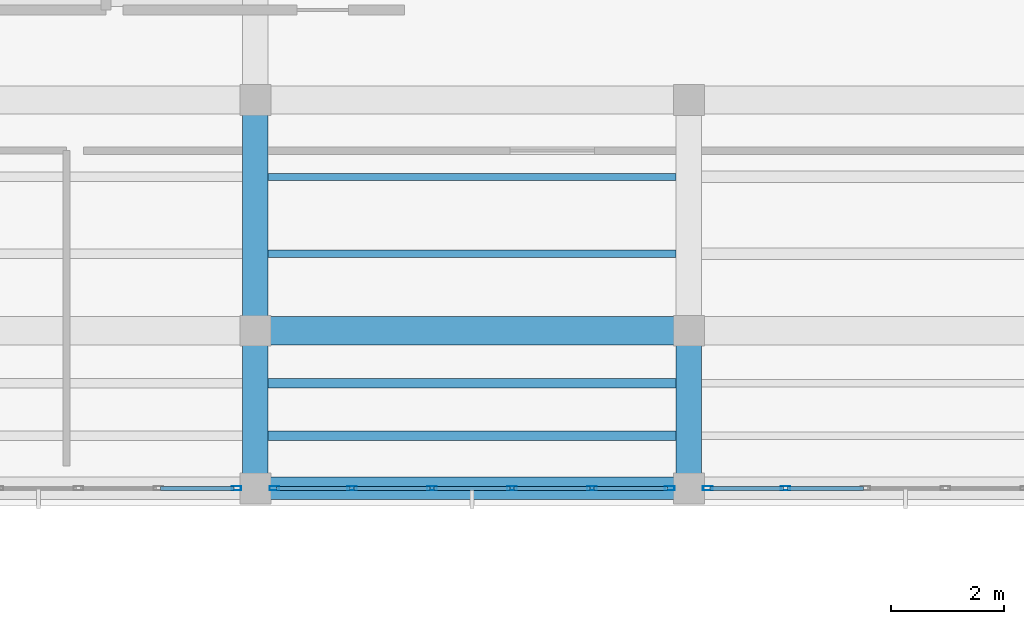
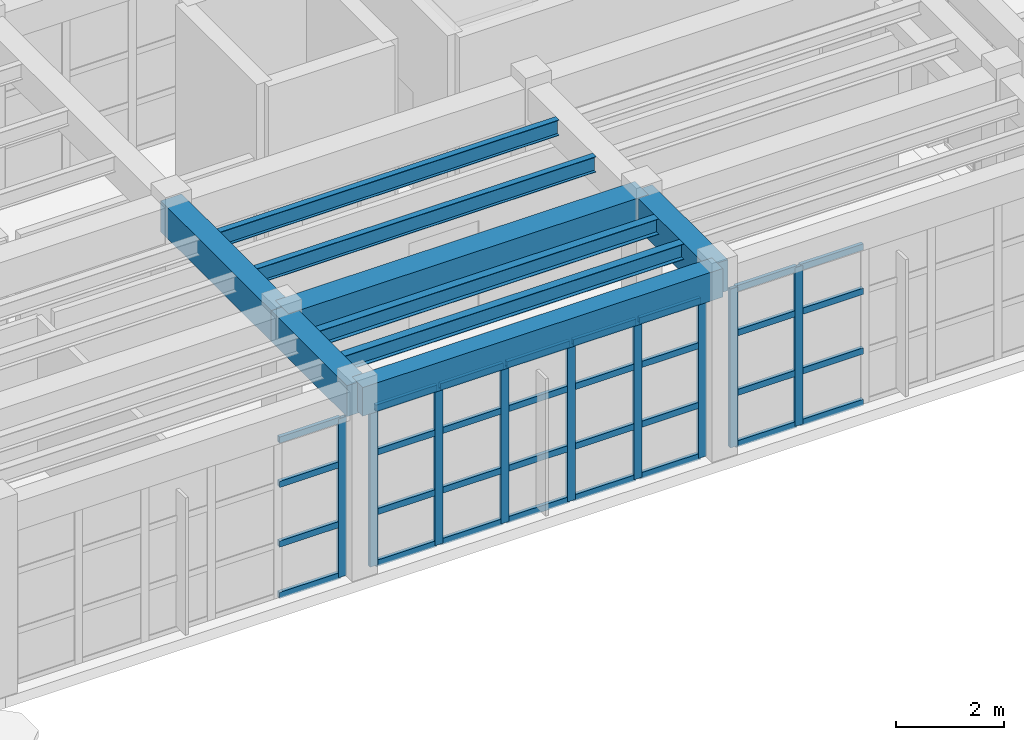
# One storey, part 29 of 85: 41 members, 9 beams, 3 elements without a shape of their own.
"""IFC4 building model written with IfcOpenShell, lengths in metres."""

from ifc_helpers import new_model, si_unit, direction, frame, origin, origin_2d, place, context, subcontext, project, spatial, rectangle, hollow_rectangle, i_section, extrude, material, layer, layer_set, material_profile, profile_set, type_object, element, aggregate, save


model = new_model("IFC4")

# Units and contexts
model_context = context("Model", 3, precision=1e-05, world=origin(), true_north=direction((0.0, 1.0)))
body_context = subcontext(model_context, "Body", "Model", "MODEL_VIEW")
ifc_project = project(units=[si_unit("LENGTHUNIT", "METRE"), si_unit("AREAUNIT", "SQUARE_METRE"), si_unit("VOLUMEUNIT", "CUBIC_METRE"), si_unit("PLANEANGLEUNIT", "RADIAN"), si_unit("MASSUNIT", "GRAM", prefix="KILO")], contexts=[model_context])

# Site, building, storey
site_placement = place(None, origin())
site = spatial("IfcSite", under=ifc_project, at=site_placement, CompositionType="ELEMENT")
building_placement = place(site_placement, origin())
building = spatial("IfcBuilding", under=site, at=building_placement, Name="Candilejo Ridge Gondola Terminal", CompositionType="ELEMENT")
storey_placement = place(building_placement, frame((0.0, 0.0, 4.5)))
storey = spatial("IfcBuildingStorey", under=building, at=storey_placement, Name="L01", CompositionType="ELEMENT", Elevation=4.5)

# Curtain wall, member
ifc_material_1 = material(Name="Anodised aluminium AA 6063-T6", Category="aluminium")
ifc_layer = layer(ifc_material_1, 0.169921875)
ifc_layer_set = layer_set([ifc_layer], Name="ARC-CW-CONCOURSE-3600-710X359")
curtain_wall_type = type_object("IfcCurtainWallType", Name="ARC-CW-CONCOURSE-3600-710X359", PredefinedType="NOTDEFINED", material=ifc_layer_set)
curtain_wall_1_placement = place(storey_placement, origin())
curtain_wall_1 = element("IfcCurtainWall", 1, at=curtain_wall_1_placement, inside=storey, type_object=curtain_wall_type, Name="Curtain wall V3 L01-077", PredefinedType="NOTDEFINED")
ifc_material_2 = material(Name="Anodised aluminium AA 6063-T6", Category="aluminium")
ifc_material_profile_1 = material_profile(ifc_material_2, hollow_rectangle(XDim=0.074951171875, YDim=0.169921875, WallThickness=0.00390625, at=origin_2d()))
ifc_profile_set_1 = profile_set([ifc_material_profile_1], Name="Anodised aluminium AA 6063-T6")
member_type_1 = type_object("IfcMemberType", Name="ARC-CW-MULLION", PredefinedType="MULLION", material=ifc_profile_set_1)
member_1_placement = place(storey_placement, frame((117.21240234375, 22.89990234375, 0.0), z_axis=(0.0, 0.0, 1.0), x_axis=(0.0, 1.0, 0.0)))
member_1 = element("IfcMember", 2, at=member_1_placement, type_object=member_type_1, Name="CW-71X35 mullion 6", PredefinedType="MULLION", context=body_context, shape_type="SweptSolid", body=[
    extrude(hollow_rectangle(XDim=0.074951171875, YDim=0.169921875, WallThickness=0.00390625, at=origin_2d()), origin(), (0.0, 0.0, 1.0), 3.590087890625),
])

# Curtain wall, members
curtain_wall_2_placement = place(storey_placement, origin())
curtain_wall_2 = element("IfcCurtainWall", 3, at=curtain_wall_2_placement, inside=storey, type_object=curtain_wall_type, Name="Curtain wall V3 L01-079", PredefinedType="NOTDEFINED")
member_2_placement = place(storey_placement, frame((117.887451171875, 22.89990234375, 0.0), z_axis=(0.0, 0.0, 1.0), x_axis=(0.0, 1.0, 0.0)))
member_2 = element("IfcMember", 4, at=member_2_placement, type_object=member_type_1, Name="CW-71X35 mullion 1", PredefinedType="MULLION", context=body_context, shape_type="SweptSolid", body=[
    extrude(hollow_rectangle(XDim=0.074951171875, YDim=0.169921875, WallThickness=0.00390625, at=origin_2d()), origin(), (0.0, 0.0, 1.0), 3.590087890625),
])
member_3_placement = place(storey_placement, frame((119.27001953125, 22.89990234375, 0.0), z_axis=(0.0, 0.0, 1.0), x_axis=(0.0, 1.0, 0.0)))
member_3 = element("IfcMember", 5, at=member_3_placement, type_object=member_type_1, Name="CW-71X35 mullion 2", PredefinedType="MULLION", context=body_context, shape_type="SweptSolid", body=[
    extrude(hollow_rectangle(XDim=0.074951171875, YDim=0.169921875, WallThickness=0.00390625, at=origin_2d()), origin(), (0.0, 0.0, 1.0), 3.590087890625),
])
member_4_placement = place(storey_placement, frame((120.68994140625, 22.89990234375, 0.0), z_axis=(0.0, 0.0, 1.0), x_axis=(0.0, 1.0, 0.0)))
member_4 = element("IfcMember", 6, at=member_4_placement, type_object=member_type_1, Name="CW-71X35 mullion 3", PredefinedType="MULLION", context=body_context, shape_type="SweptSolid", body=[
    extrude(hollow_rectangle(XDim=0.074951171875, YDim=0.169921875, WallThickness=0.00390625, at=origin_2d()), origin(), (0.0, 0.0, 1.0), 3.590087890625),
])
member_5_placement = place(storey_placement, frame((122.110107421875, 22.89990234375, 0.0), z_axis=(0.0, 0.0, 1.0), x_axis=(0.0, 1.0, 0.0)))
member_5 = element("IfcMember", 7, at=member_5_placement, type_object=member_type_1, Name="CW-71X35 mullion 4", PredefinedType="MULLION", context=body_context, shape_type="SweptSolid", body=[
    extrude(hollow_rectangle(XDim=0.074951171875, YDim=0.169921875, WallThickness=0.00390625, at=origin_2d()), origin(), (0.0, 0.0, 1.0), 3.590087890625),
])
member_6_placement = place(storey_placement, frame((123.530029296875, 22.89990234375, 0.0), z_axis=(0.0, 0.0, 1.0), x_axis=(0.0, 1.0, 0.0)))
member_6 = element("IfcMember", 8, at=member_6_placement, type_object=member_type_1, Name="CW-71X35 mullion 5", PredefinedType="MULLION", context=body_context, shape_type="SweptSolid", body=[
    extrude(hollow_rectangle(XDim=0.074951171875, YDim=0.169921875, WallThickness=0.00390625, at=origin_2d()), origin(), (0.0, 0.0, 1.0), 3.590087890625),
])
member_7_placement = place(storey_placement, frame((124.91259765625, 22.89990234375, 0.0), z_axis=(0.0, 0.0, 1.0), x_axis=(0.0, 1.0, 0.0)))
member_7 = element("IfcMember", 9, at=member_7_placement, type_object=member_type_1, Name="CW-71X35 mullion 6", PredefinedType="MULLION", context=body_context, shape_type="SweptSolid", body=[
    extrude(hollow_rectangle(XDim=0.074951171875, YDim=0.169921875, WallThickness=0.00390625, at=origin_2d()), origin(), (0.0, 0.0, 1.0), 3.590087890625),
])

curtain_wall_3_placement = place(storey_placement, origin())
curtain_wall_3 = element("IfcCurtainWall", 10, at=curtain_wall_3_placement, inside=storey, type_object=curtain_wall_type, Name="Curtain wall V3 L01-081", PredefinedType="NOTDEFINED")
member_8_placement = place(storey_placement, frame((125.58740234375, 22.89990234375, 0.0), z_axis=(0.0, 0.0, 1.0), x_axis=(0.0, 1.0, 0.0)))
member_8 = element("IfcMember", 11, at=member_8_placement, type_object=member_type_1, Name="CW-71X35 mullion 1", PredefinedType="MULLION", context=body_context, shape_type="SweptSolid", body=[
    extrude(hollow_rectangle(XDim=0.074951171875, YDim=0.169921875, WallThickness=0.00390625, at=origin_2d()), origin(), (0.0, 0.0, 1.0), 3.590087890625),
])
member_9_placement = place(storey_placement, frame((126.969970703125, 22.89990234375, 0.0), z_axis=(0.0, 0.0, 1.0), x_axis=(0.0, 1.0, 0.0)))
member_9 = element("IfcMember", 12, at=member_9_placement, type_object=member_type_1, Name="CW-71X35 mullion 2", PredefinedType="MULLION", context=body_context, shape_type="SweptSolid", body=[
    extrude(hollow_rectangle(XDim=0.074951171875, YDim=0.169921875, WallThickness=0.00390625, at=origin_2d()), origin(), (0.0, 0.0, 1.0), 3.590087890625),
])

# Member
ifc_material_3 = material(Name="Anodised aluminium AA 6063-T6", Category="aluminium")
ifc_material_profile_2 = material_profile(ifc_material_3, hollow_rectangle(XDim=0.074951171875, YDim=0.139892578125, WallThickness=0.00390625, at=origin_2d()))
ifc_profile_set_2 = profile_set([ifc_material_profile_2], Name="Anodised aluminium AA 6063-T6")
member_type_2 = type_object("IfcMemberType", Name="ARC-CW-TRANSOM", PredefinedType="USERDEFINED", material=ifc_profile_set_2)
member_10_placement = place(storey_placement, frame((115.867431640625, 22.89990234375, 0.03759765625), z_axis=(1.0, 0.0, 0.0), x_axis=(0.0, 1.0, 0.0)))
member_10 = element("IfcMember", 13, at=member_10_placement, type_object=member_type_2, Name="CW-71X35 transom 5.1", ObjectType="TRANSOM", PredefinedType="USERDEFINED", context=body_context, shape_type="SweptSolid", body=[
    extrude(hollow_rectangle(XDim=0.074951171875, YDim=0.139892578125, WallThickness=0.00390625, at=origin_2d()), origin(), (0.0, 0.0, 1.0), 1.3076171875),
])

member_11_placement = place(storey_placement, frame((115.867431640625, 22.89990234375, 1.199951171875), z_axis=(1.0, 0.0, 0.0), x_axis=(0.0, 1.0, 0.0)))
member_11 = element("IfcMember", 14, at=member_11_placement, type_object=member_type_2, Name="CW-71X35 transom 5.2", ObjectType="TRANSOM", PredefinedType="USERDEFINED", context=body_context, shape_type="SweptSolid", body=[
    extrude(hollow_rectangle(XDim=0.074951171875, YDim=0.139892578125, WallThickness=0.00390625, at=origin_2d()), origin(), (0.0, 0.0, 1.0), 1.3076171875),
])

member_12_placement = place(storey_placement, frame((115.867431640625, 22.89990234375, 2.550048828125), z_axis=(1.0, 0.0, 0.0), x_axis=(0.0, 1.0, 0.0)))
member_12 = element("IfcMember", 15, at=member_12_placement, type_object=member_type_2, Name="CW-71X35 transom 5.3", ObjectType="TRANSOM", PredefinedType="USERDEFINED", context=body_context, shape_type="SweptSolid", body=[
    extrude(hollow_rectangle(XDim=0.074951171875, YDim=0.139892578125, WallThickness=0.00390625, at=origin_2d()), origin(), (0.0, 0.0, 1.0), 1.3076171875),
])

member_13_placement = place(storey_placement, frame((115.867431640625, 22.89990234375, 3.552490234375), z_axis=(1.0, 0.0, 0.0), x_axis=(0.0, 1.0, 0.0)))
member_13 = element("IfcMember", 16, at=member_13_placement, type_object=member_type_2, Name="CW-71X35 transom 5.4", ObjectType="TRANSOM", PredefinedType="USERDEFINED", context=body_context, shape_type="SweptSolid", body=[
    extrude(hollow_rectangle(XDim=0.074951171875, YDim=0.139892578125, WallThickness=0.00390625, at=origin_2d()), origin(), (0.0, 0.0, 1.0), 1.3076171875),
])

aggregate(curtain_wall_1, [member_1, member_10, member_11, member_12, member_13])

member_14_placement = place(storey_placement, frame((117.925048828125, 22.89990234375, 0.03759765625), z_axis=(1.0, 0.0, 0.0), x_axis=(0.0, 1.0, 0.0)))
member_14 = element("IfcMember", 17, at=member_14_placement, type_object=member_type_2, Name="CW-71X35 transom 1.1", ObjectType="TRANSOM", PredefinedType="USERDEFINED", context=body_context, shape_type="SweptSolid", body=[
    extrude(hollow_rectangle(XDim=0.074951171875, YDim=0.139892578125, WallThickness=0.00390625, at=origin_2d()), origin(), (0.0, 0.0, 1.0), 1.307373046875),
])

member_15_placement = place(storey_placement, frame((117.925048828125, 22.89990234375, 1.199951171875), z_axis=(1.0, 0.0, 0.0), x_axis=(0.0, 1.0, 0.0)))
member_15 = element("IfcMember", 18, at=member_15_placement, type_object=member_type_2, Name="CW-71X35 transom 1.2", ObjectType="TRANSOM", PredefinedType="USERDEFINED", context=body_context, shape_type="SweptSolid", body=[
    extrude(hollow_rectangle(XDim=0.074951171875, YDim=0.139892578125, WallThickness=0.00390625, at=origin_2d()), origin(), (0.0, 0.0, 1.0), 1.307373046875),
])

member_16_placement = place(storey_placement, frame((117.925048828125, 22.89990234375, 2.550048828125), z_axis=(1.0, 0.0, 0.0), x_axis=(0.0, 1.0, 0.0)))
member_16 = element("IfcMember", 19, at=member_16_placement, type_object=member_type_2, Name="CW-71X35 transom 1.3", ObjectType="TRANSOM", PredefinedType="USERDEFINED", context=body_context, shape_type="SweptSolid", body=[
    extrude(hollow_rectangle(XDim=0.074951171875, YDim=0.139892578125, WallThickness=0.00390625, at=origin_2d()), origin(), (0.0, 0.0, 1.0), 1.307373046875),
])

member_17_placement = place(storey_placement, frame((117.925048828125, 22.89990234375, 3.552490234375), z_axis=(1.0, 0.0, 0.0), x_axis=(0.0, 1.0, 0.0)))
member_17 = element("IfcMember", 20, at=member_17_placement, type_object=member_type_2, Name="CW-71X35 transom 1.4", ObjectType="TRANSOM", PredefinedType="USERDEFINED", context=body_context, shape_type="SweptSolid", body=[
    extrude(hollow_rectangle(XDim=0.074951171875, YDim=0.139892578125, WallThickness=0.00390625, at=origin_2d()), origin(), (0.0, 0.0, 1.0), 1.307373046875),
])

member_18_placement = place(storey_placement, frame((119.3076171875, 22.89990234375, 0.03759765625), z_axis=(1.0, 0.0, 0.0), x_axis=(0.0, 1.0, 0.0)))
member_18 = element("IfcMember", 21, at=member_18_placement, type_object=member_type_2, Name="CW-71X35 transom 2.1", ObjectType="TRANSOM", PredefinedType="USERDEFINED", context=body_context, shape_type="SweptSolid", body=[
    extrude(hollow_rectangle(XDim=0.074951171875, YDim=0.139892578125, WallThickness=0.00390625, at=origin_2d()), origin(), (0.0, 0.0, 1.0), 1.344970703125),
])

member_19_placement = place(storey_placement, frame((119.3076171875, 22.89990234375, 1.199951171875), z_axis=(1.0, 0.0, 0.0), x_axis=(0.0, 1.0, 0.0)))
member_19 = element("IfcMember", 22, at=member_19_placement, type_object=member_type_2, Name="CW-71X35 transom 2.2", ObjectType="TRANSOM", PredefinedType="USERDEFINED", context=body_context, shape_type="SweptSolid", body=[
    extrude(hollow_rectangle(XDim=0.074951171875, YDim=0.139892578125, WallThickness=0.00390625, at=origin_2d()), origin(), (0.0, 0.0, 1.0), 1.344970703125),
])

member_20_placement = place(storey_placement, frame((119.3076171875, 22.89990234375, 2.550048828125), z_axis=(1.0, 0.0, 0.0), x_axis=(0.0, 1.0, 0.0)))
member_20 = element("IfcMember", 23, at=member_20_placement, type_object=member_type_2, Name="CW-71X35 transom 2.3", ObjectType="TRANSOM", PredefinedType="USERDEFINED", context=body_context, shape_type="SweptSolid", body=[
    extrude(hollow_rectangle(XDim=0.074951171875, YDim=0.139892578125, WallThickness=0.00390625, at=origin_2d()), origin(), (0.0, 0.0, 1.0), 1.344970703125),
])

member_21_placement = place(storey_placement, frame((119.3076171875, 22.89990234375, 3.552490234375), z_axis=(1.0, 0.0, 0.0), x_axis=(0.0, 1.0, 0.0)))
member_21 = element("IfcMember", 24, at=member_21_placement, type_object=member_type_2, Name="CW-71X35 transom 2.4", ObjectType="TRANSOM", PredefinedType="USERDEFINED", context=body_context, shape_type="SweptSolid", body=[
    extrude(hollow_rectangle(XDim=0.074951171875, YDim=0.139892578125, WallThickness=0.00390625, at=origin_2d()), origin(), (0.0, 0.0, 1.0), 1.344970703125),
])

member_22_placement = place(storey_placement, frame((120.7275390625, 22.89990234375, 0.03759765625), z_axis=(1.0, 0.0, 0.0), x_axis=(0.0, 1.0, 0.0)))
member_22 = element("IfcMember", 25, at=member_22_placement, type_object=member_type_2, Name="CW-71X35 transom 3.1", ObjectType="TRANSOM", PredefinedType="USERDEFINED", context=body_context, shape_type="SweptSolid", body=[
    extrude(hollow_rectangle(XDim=0.074951171875, YDim=0.139892578125, WallThickness=0.00390625, at=origin_2d()), origin(), (0.0, 0.0, 1.0), 1.344970703125),
])

member_23_placement = place(storey_placement, frame((120.7275390625, 22.89990234375, 1.199951171875), z_axis=(1.0, 0.0, 0.0), x_axis=(0.0, 1.0, 0.0)))
member_23 = element("IfcMember", 26, at=member_23_placement, type_object=member_type_2, Name="CW-71X35 transom 3.2", ObjectType="TRANSOM", PredefinedType="USERDEFINED", context=body_context, shape_type="SweptSolid", body=[
    extrude(hollow_rectangle(XDim=0.074951171875, YDim=0.139892578125, WallThickness=0.00390625, at=origin_2d()), origin(), (0.0, 0.0, 1.0), 1.344970703125),
])

member_24_placement = place(storey_placement, frame((120.7275390625, 22.89990234375, 2.550048828125), z_axis=(1.0, 0.0, 0.0), x_axis=(0.0, 1.0, 0.0)))
member_24 = element("IfcMember", 27, at=member_24_placement, type_object=member_type_2, Name="CW-71X35 transom 3.3", ObjectType="TRANSOM", PredefinedType="USERDEFINED", context=body_context, shape_type="SweptSolid", body=[
    extrude(hollow_rectangle(XDim=0.074951171875, YDim=0.139892578125, WallThickness=0.00390625, at=origin_2d()), origin(), (0.0, 0.0, 1.0), 1.344970703125),
])

member_25_placement = place(storey_placement, frame((120.7275390625, 22.89990234375, 3.552490234375), z_axis=(1.0, 0.0, 0.0), x_axis=(0.0, 1.0, 0.0)))
member_25 = element("IfcMember", 28, at=member_25_placement, type_object=member_type_2, Name="CW-71X35 transom 3.4", ObjectType="TRANSOM", PredefinedType="USERDEFINED", context=body_context, shape_type="SweptSolid", body=[
    extrude(hollow_rectangle(XDim=0.074951171875, YDim=0.139892578125, WallThickness=0.00390625, at=origin_2d()), origin(), (0.0, 0.0, 1.0), 1.344970703125),
])

member_26_placement = place(storey_placement, frame((122.1474609375, 22.89990234375, 0.03759765625), z_axis=(1.0, 0.0, 0.0), x_axis=(0.0, 1.0, 0.0)))
member_26 = element("IfcMember", 29, at=member_26_placement, type_object=member_type_2, Name="CW-71X35 transom 4.1", ObjectType="TRANSOM", PredefinedType="USERDEFINED", context=body_context, shape_type="SweptSolid", body=[
    extrude(hollow_rectangle(XDim=0.074951171875, YDim=0.139892578125, WallThickness=0.00390625, at=origin_2d()), origin(), (0.0, 0.0, 1.0), 1.344970703125),
])

member_27_placement = place(storey_placement, frame((122.1474609375, 22.89990234375, 1.199951171875), z_axis=(1.0, 0.0, 0.0), x_axis=(0.0, 1.0, 0.0)))
member_27 = element("IfcMember", 30, at=member_27_placement, type_object=member_type_2, Name="CW-71X35 transom 4.2", ObjectType="TRANSOM", PredefinedType="USERDEFINED", context=body_context, shape_type="SweptSolid", body=[
    extrude(hollow_rectangle(XDim=0.074951171875, YDim=0.139892578125, WallThickness=0.00390625, at=origin_2d()), origin(), (0.0, 0.0, 1.0), 1.344970703125),
])

member_28_placement = place(storey_placement, frame((122.1474609375, 22.89990234375, 2.550048828125), z_axis=(1.0, 0.0, 0.0), x_axis=(0.0, 1.0, 0.0)))
member_28 = element("IfcMember", 31, at=member_28_placement, type_object=member_type_2, Name="CW-71X35 transom 4.3", ObjectType="TRANSOM", PredefinedType="USERDEFINED", context=body_context, shape_type="SweptSolid", body=[
    extrude(hollow_rectangle(XDim=0.074951171875, YDim=0.139892578125, WallThickness=0.00390625, at=origin_2d()), origin(), (0.0, 0.0, 1.0), 1.344970703125),
])

member_29_placement = place(storey_placement, frame((122.1474609375, 22.89990234375, 3.552490234375), z_axis=(1.0, 0.0, 0.0), x_axis=(0.0, 1.0, 0.0)))
member_29 = element("IfcMember", 32, at=member_29_placement, type_object=member_type_2, Name="CW-71X35 transom 4.4", ObjectType="TRANSOM", PredefinedType="USERDEFINED", context=body_context, shape_type="SweptSolid", body=[
    extrude(hollow_rectangle(XDim=0.074951171875, YDim=0.139892578125, WallThickness=0.00390625, at=origin_2d()), origin(), (0.0, 0.0, 1.0), 1.344970703125),
])

member_30_placement = place(storey_placement, frame((123.5673828125, 22.89990234375, 0.03759765625), z_axis=(1.0, 0.0, 0.0), x_axis=(0.0, 1.0, 0.0)))
member_30 = element("IfcMember", 33, at=member_30_placement, type_object=member_type_2, Name="CW-71X35 transom 5.1", ObjectType="TRANSOM", PredefinedType="USERDEFINED", context=body_context, shape_type="SweptSolid", body=[
    extrude(hollow_rectangle(XDim=0.074951171875, YDim=0.139892578125, WallThickness=0.00390625, at=origin_2d()), origin(), (0.0, 0.0, 1.0), 1.3076171875),
])

member_31_placement = place(storey_placement, frame((123.5673828125, 22.89990234375, 1.199951171875), z_axis=(1.0, 0.0, 0.0), x_axis=(0.0, 1.0, 0.0)))
member_31 = element("IfcMember", 34, at=member_31_placement, type_object=member_type_2, Name="CW-71X35 transom 5.2", ObjectType="TRANSOM", PredefinedType="USERDEFINED", context=body_context, shape_type="SweptSolid", body=[
    extrude(hollow_rectangle(XDim=0.074951171875, YDim=0.139892578125, WallThickness=0.00390625, at=origin_2d()), origin(), (0.0, 0.0, 1.0), 1.3076171875),
])

member_32_placement = place(storey_placement, frame((123.5673828125, 22.89990234375, 2.550048828125), z_axis=(1.0, 0.0, 0.0), x_axis=(0.0, 1.0, 0.0)))
member_32 = element("IfcMember", 35, at=member_32_placement, type_object=member_type_2, Name="CW-71X35 transom 5.3", ObjectType="TRANSOM", PredefinedType="USERDEFINED", context=body_context, shape_type="SweptSolid", body=[
    extrude(hollow_rectangle(XDim=0.074951171875, YDim=0.139892578125, WallThickness=0.00390625, at=origin_2d()), origin(), (0.0, 0.0, 1.0), 1.3076171875),
])

member_33_placement = place(storey_placement, frame((123.5673828125, 22.89990234375, 3.552490234375), z_axis=(1.0, 0.0, 0.0), x_axis=(0.0, 1.0, 0.0)))
member_33 = element("IfcMember", 36, at=member_33_placement, type_object=member_type_2, Name="CW-71X35 transom 5.4", ObjectType="TRANSOM", PredefinedType="USERDEFINED", context=body_context, shape_type="SweptSolid", body=[
    extrude(hollow_rectangle(XDim=0.074951171875, YDim=0.139892578125, WallThickness=0.00390625, at=origin_2d()), origin(), (0.0, 0.0, 1.0), 1.3076171875),
])

aggregate(curtain_wall_2, [member_2, member_3, member_4, member_5, member_6, member_7, member_14, member_15, member_16, member_17, member_18, member_19, member_20, member_21, member_22, member_23, member_24, member_25, member_26, member_27, member_28, member_29, member_30, member_31, member_32, member_33])

member_34_placement = place(storey_placement, frame((125.625, 22.89990234375, 0.03759765625), z_axis=(1.0, 0.0, 0.0), x_axis=(0.0, 1.0, 0.0)))
member_34 = element("IfcMember", 37, at=member_34_placement, type_object=member_type_2, Name="CW-71X35 transom 1.1", ObjectType="TRANSOM", PredefinedType="USERDEFINED", context=body_context, shape_type="SweptSolid", body=[
    extrude(hollow_rectangle(XDim=0.074951171875, YDim=0.139892578125, WallThickness=0.00390625, at=origin_2d()), origin(), (0.0, 0.0, 1.0), 1.3076171875),
])

member_35_placement = place(storey_placement, frame((125.625, 22.89990234375, 1.199951171875), z_axis=(1.0, 0.0, 0.0), x_axis=(0.0, 1.0, 0.0)))
member_35 = element("IfcMember", 38, at=member_35_placement, type_object=member_type_2, Name="CW-71X35 transom 1.2", ObjectType="TRANSOM", PredefinedType="USERDEFINED", context=body_context, shape_type="SweptSolid", body=[
    extrude(hollow_rectangle(XDim=0.074951171875, YDim=0.139892578125, WallThickness=0.00390625, at=origin_2d()), origin(), (0.0, 0.0, 1.0), 1.3076171875),
])

member_36_placement = place(storey_placement, frame((125.625, 22.89990234375, 2.550048828125), z_axis=(1.0, 0.0, 0.0), x_axis=(0.0, 1.0, 0.0)))
member_36 = element("IfcMember", 39, at=member_36_placement, type_object=member_type_2, Name="CW-71X35 transom 1.3", ObjectType="TRANSOM", PredefinedType="USERDEFINED", context=body_context, shape_type="SweptSolid", body=[
    extrude(hollow_rectangle(XDim=0.074951171875, YDim=0.139892578125, WallThickness=0.00390625, at=origin_2d()), origin(), (0.0, 0.0, 1.0), 1.3076171875),
])

member_37_placement = place(storey_placement, frame((125.625, 22.89990234375, 3.552490234375), z_axis=(1.0, 0.0, 0.0), x_axis=(0.0, 1.0, 0.0)))
member_37 = element("IfcMember", 40, at=member_37_placement, type_object=member_type_2, Name="CW-71X35 transom 1.4", ObjectType="TRANSOM", PredefinedType="USERDEFINED", context=body_context, shape_type="SweptSolid", body=[
    extrude(hollow_rectangle(XDim=0.074951171875, YDim=0.139892578125, WallThickness=0.00390625, at=origin_2d()), origin(), (0.0, 0.0, 1.0), 1.3076171875),
])

member_38_placement = place(storey_placement, frame((127.007568359375, 22.89990234375, 0.03759765625), z_axis=(1.0, 0.0, 0.0), x_axis=(0.0, 1.0, 0.0)))
member_38 = element("IfcMember", 41, at=member_38_placement, type_object=member_type_2, Name="CW-71X35 transom 2.1", ObjectType="TRANSOM", PredefinedType="USERDEFINED", context=body_context, shape_type="SweptSolid", body=[
    extrude(hollow_rectangle(XDim=0.074951171875, YDim=0.139892578125, WallThickness=0.00390625, at=origin_2d()), origin(), (0.0, 0.0, 1.0), 1.344970703125),
])

member_39_placement = place(storey_placement, frame((127.007568359375, 22.89990234375, 1.199951171875), z_axis=(1.0, 0.0, 0.0), x_axis=(0.0, 1.0, 0.0)))
member_39 = element("IfcMember", 42, at=member_39_placement, type_object=member_type_2, Name="CW-71X35 transom 2.2", ObjectType="TRANSOM", PredefinedType="USERDEFINED", context=body_context, shape_type="SweptSolid", body=[
    extrude(hollow_rectangle(XDim=0.074951171875, YDim=0.139892578125, WallThickness=0.00390625, at=origin_2d()), origin(), (0.0, 0.0, 1.0), 1.344970703125),
])

member_40_placement = place(storey_placement, frame((127.007568359375, 22.89990234375, 2.550048828125), z_axis=(1.0, 0.0, 0.0), x_axis=(0.0, 1.0, 0.0)))
member_40 = element("IfcMember", 43, at=member_40_placement, type_object=member_type_2, Name="CW-71X35 transom 2.3", ObjectType="TRANSOM", PredefinedType="USERDEFINED", context=body_context, shape_type="SweptSolid", body=[
    extrude(hollow_rectangle(XDim=0.074951171875, YDim=0.139892578125, WallThickness=0.00390625, at=origin_2d()), origin(), (0.0, 0.0, 1.0), 1.344970703125),
])

member_41_placement = place(storey_placement, frame((127.007568359375, 22.89990234375, 3.552490234375), z_axis=(1.0, 0.0, 0.0), x_axis=(0.0, 1.0, 0.0)))
member_41 = element("IfcMember", 44, at=member_41_placement, type_object=member_type_2, Name="CW-71X35 transom 2.4", ObjectType="TRANSOM", PredefinedType="USERDEFINED", context=body_context, shape_type="SweptSolid", body=[
    extrude(hollow_rectangle(XDim=0.074951171875, YDim=0.139892578125, WallThickness=0.00390625, at=origin_2d()), origin(), (0.0, 0.0, 1.0), 1.344970703125),
])

aggregate(curtain_wall_3, [member_8, member_9, member_34, member_35, member_36, member_37, member_38, member_39, member_40, member_41])

# Beams
ifc_material_4 = material(Name="Concrete f'c 35 MPa (C35/45)", Category="concrete")
ifc_material_profile_3 = material_profile(ifc_material_4, rectangle(XDim=0.449951171875, YDim=0.699951171875, at=origin_2d()))
ifc_profile_set_3 = profile_set([ifc_material_profile_3], Name="Concrete f'c 35 MPa (C35/45)")
beam_type_1 = type_object("IfcBeamType", Name="STR-BM-RC450X700", PredefinedType="BEAM", material=ifc_profile_set_3)
beam_1_placement = place(storey_placement, frame((117.550048828125, 22.89990234375, 3.89990234375), z_axis=(0.0, 1.0, 0.0), x_axis=(-1.0, 0.0, 0.0)))
element("IfcBeam", 45, at=beam_1_placement, inside=storey, type_object=beam_type_1, Name="Beam Y V3 L01 Y04-Y05@X18", PredefinedType="BEAM", context=body_context, shape_type="SweptSolid", body=[
    extrude(rectangle(XDim=0.449951171875, YDim=0.699951171875, at=origin_2d()), origin(), (0.0, 0.0, 1.0), 2.800048828125),
])
beam_2_placement = place(storey_placement, frame((117.550048828125, 25.699951171875, 3.89990234375), z_axis=(0.0, 1.0, 0.0), x_axis=(-1.0, 0.0, 0.0)))
element("IfcBeam", 46, at=beam_2_placement, inside=storey, type_object=beam_type_1, Name="Beam Y V3 L01 Y05-Y06@X18", PredefinedType="BEAM", context=body_context, shape_type="SweptSolid", body=[
    extrude(rectangle(XDim=0.449951171875, YDim=0.699951171875, at=origin_2d()), origin(), (0.0, 0.0, 1.0), 4.10009765625),
])
beam_3_placement = place(storey_placement, frame((125.25, 22.89990234375, 3.89990234375), z_axis=(0.0, 1.0, 0.0), x_axis=(-1.0, 0.0, 0.0)))
element("IfcBeam", 47, at=beam_3_placement, inside=storey, type_object=beam_type_1, Name="Beam Y V3 L01 Y04-Y05@X19", PredefinedType="BEAM", context=body_context, shape_type="SweptSolid", body=[
    extrude(rectangle(XDim=0.449951171875, YDim=0.699951171875, at=origin_2d()), origin(), (0.0, 0.0, 1.0), 2.800048828125),
])
ifc_material_5 = material(Name="Concrete f'c 35 MPa (C35/45)", Category="concrete")
ifc_material_profile_4 = material_profile(ifc_material_5, rectangle(XDim=0.5, YDim=0.800048828125, at=origin_2d()))
ifc_profile_set_4 = profile_set([ifc_material_profile_4], Name="Concrete f'c 35 MPa (C35/45)")
beam_type_2 = type_object("IfcBeamType", Name="STR-BM-RC500X800", PredefinedType="BEAM", material=ifc_profile_set_4)
beam_4_placement = place(storey_placement, frame((117.550048828125, 25.699951171875, 3.85009765625), z_axis=(1.0, 0.0, 0.0), x_axis=(0.0, 1.0, 0.0)))
element("IfcBeam", 48, at=beam_4_placement, inside=storey, type_object=beam_type_2, Name="Beam X V3 L01 X18-X19@Y05", PredefinedType="BEAM", context=body_context, shape_type="SweptSolid", body=[
    extrude(rectangle(XDim=0.5, YDim=0.800048828125, at=origin_2d()), origin(), (0.0, 0.0, 1.0), 7.699951171875),
])
ifc_material_6 = material(Name="Steel ASTM A992 Grade 50", Category="steel")
ifc_material_profile_5 = material_profile(ifc_material_6, i_section(OverallWidth=0.1279296875, OverallDepth=0.35302734375, WebThickness=0.006591796875, FlangeThickness=0.0107421875, at=origin_2d()))
ifc_profile_set_5 = profile_set([ifc_material_profile_5], Name="Steel ASTM A992 Grade 50")
beam_type_3 = type_object("IfcBeamType", Name="STR-JST-W360X39", PredefinedType="JOIST", material=ifc_profile_set_5)
for number, where, z_axis, x_axis, name in (
    (49, (117.77490234375, 27.066650390625, 4.073486328125), (1.0, 0.0, 0.0), (0.0, 1.0, 0.0), "Composite joist V3 L01-0503"),
    (50, (117.77490234375, 28.433349609375, 4.073486328125), (1.0, 0.0, 0.0), (0.0, 1.0, 0.0), "Composite joist V3 L01-0504"),
):
    element("IfcBeam", number, at=place(storey_placement, frame(where, z_axis=z_axis, x_axis=x_axis)), inside=storey, type_object=beam_type_3, Name=name, PredefinedType="JOIST", context=body_context, shape_type="SweptSolid", body=[
        extrude(i_section(OverallWidth=0.1279296875, OverallDepth=0.35302734375, WebThickness=0.006591796875, FlangeThickness=0.0107421875, at=origin_2d()), origin(), (0.0, 0.0, 1.0), 7.25),
    ])
ifc_material_7 = material(Name="Steel ASTM A992 Grade 50", Category="steel")
ifc_material_profile_6 = material_profile(ifc_material_7, i_section(OverallWidth=0.1708984375, OverallDepth=0.35205078125, WebThickness=0.0068359375, FlangeThickness=0.009765625, at=origin_2d()))
ifc_profile_set_6 = profile_set([ifc_material_profile_6], Name="Steel ASTM A992 Grade 50")
beam_type_4 = type_object("IfcBeamType", Name="STR-JST-W360X44", PredefinedType="JOIST", material=ifc_profile_set_6)
for number, where, z_axis, x_axis, name in (
    (51, (117.77490234375, 23.833251953125, 4.073974609375), (1.0, 0.0, 0.0), (0.0, 1.0, 0.0), "Composite joist V3 L01-0501"),
    (52, (117.77490234375, 24.7666015625, 4.073974609375), (1.0, 0.0, 0.0), (0.0, 1.0, 0.0), "Composite joist V3 L01-0502"),
):
    element("IfcBeam", number, at=place(storey_placement, frame(where, z_axis=z_axis, x_axis=x_axis)), inside=storey, type_object=beam_type_4, Name=name, PredefinedType="JOIST", context=body_context, shape_type="SweptSolid", body=[
        extrude(i_section(OverallWidth=0.1708984375, OverallDepth=0.35205078125, WebThickness=0.0068359375, FlangeThickness=0.009765625, at=origin_2d()), origin(), (0.0, 0.0, 1.0), 7.25),
    ])
ifc_material_8 = material(Name="Concrete f'c 35 MPa (C35/45)", Category="concrete")
ifc_material_profile_7 = material_profile(ifc_material_8, rectangle(XDim=0.39990234375, YDim=0.64990234375, at=origin_2d()))
ifc_profile_set_7 = profile_set([ifc_material_profile_7], Name="Concrete f'c 35 MPa (C35/45)")
beam_type_5 = type_object("IfcBeamType", Name="STR-SPN-RC400X650", PredefinedType="SPANDREL", material=ifc_profile_set_7)
beam_5_placement = place(storey_placement, frame((117.550048828125, 22.89990234375, 3.925048828125), z_axis=(1.0, 0.0, 0.0), x_axis=(0.0, 1.0, 0.0)))
element("IfcBeam", 53, at=beam_5_placement, inside=storey, type_object=beam_type_5, Name="Beam X V3 L01 X18-X19@Y04", PredefinedType="SPANDREL", context=body_context, shape_type="SweptSolid", body=[
    extrude(rectangle(XDim=0.39990234375, YDim=0.64990234375, at=origin_2d()), origin(), (0.0, 0.0, 1.0), 7.699951171875),
])

save(model, "model.ifc")
